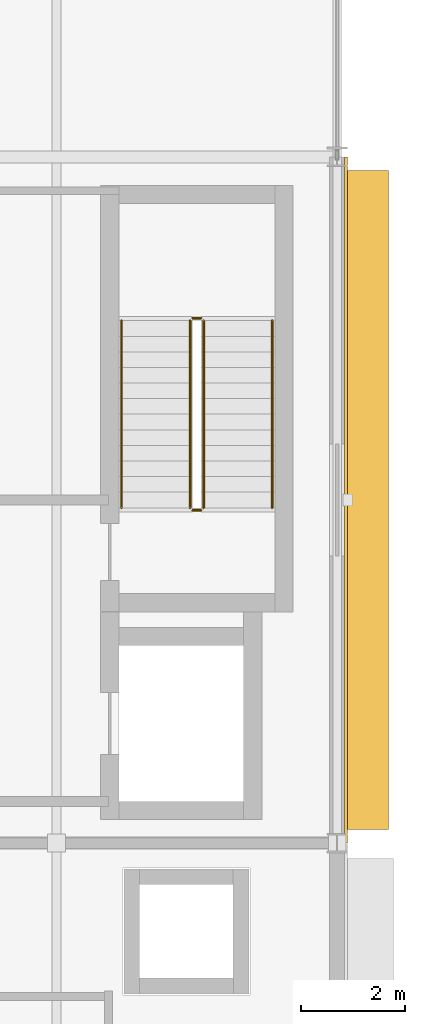
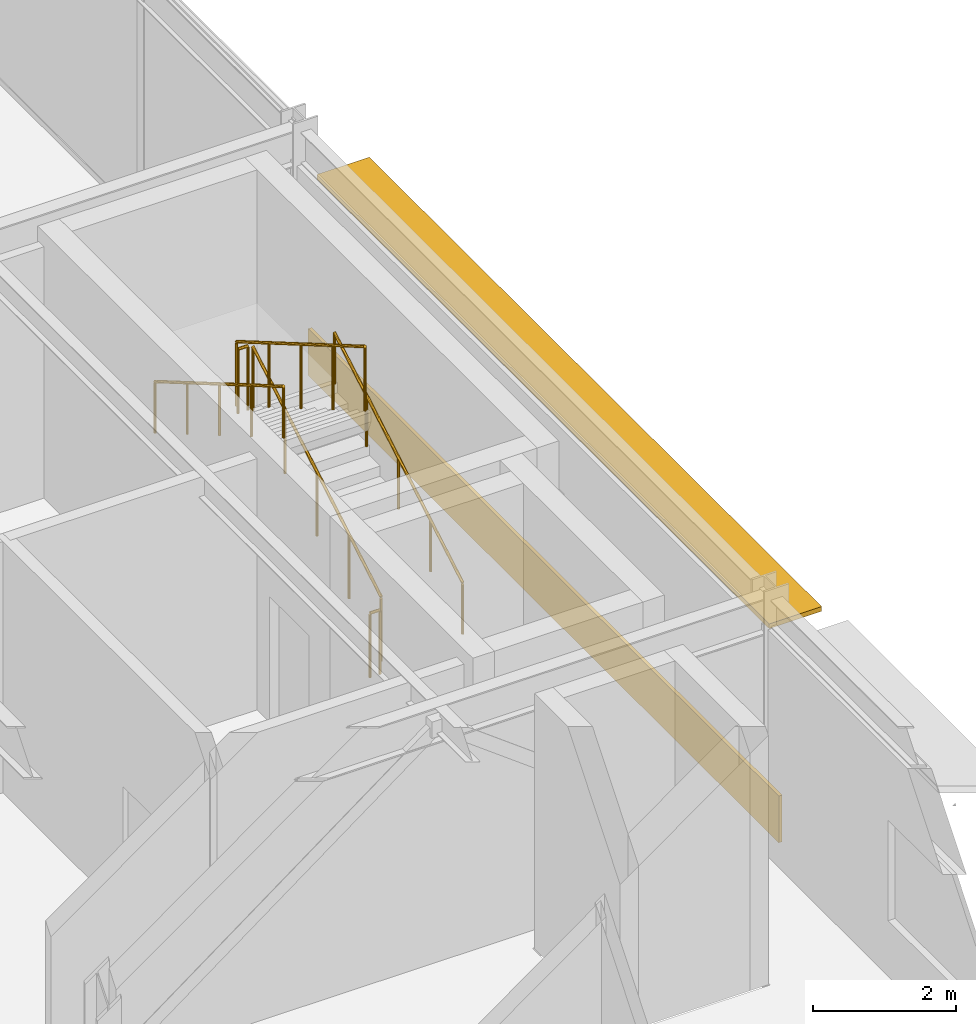
# One storey, part 132 of 133: 6 railings, 1 covering, 1 shading device.
"""IFC4 building model written with IfcOpenShell, lengths in metres."""

from ifc_helpers import new_model, si_unit, direction, frame, origin, origin_2d, place, context, subcontext, project, spatial, rectangle, circle, extrude, material, layer, layer_set, type_object, element, save


model = new_model("IFC4")

# Units and contexts
model_context = context("Model", 3, precision=1e-05, world=origin(), true_north=direction((0.0, 1.0)))
body_context = subcontext(model_context, "Body", "Model", "MODEL_VIEW")
ifc_project = project(units=[si_unit("LENGTHUNIT", "METRE"), si_unit("AREAUNIT", "SQUARE_METRE"), si_unit("VOLUMEUNIT", "CUBIC_METRE"), si_unit("PLANEANGLEUNIT", "RADIAN"), si_unit("MASSUNIT", "GRAM", prefix="KILO")], contexts=[model_context])

# Site, building, storey
site_placement = place(None, origin())
site = spatial("IfcSite", under=ifc_project, at=site_placement, CompositionType="ELEMENT")
building_placement = place(site_placement, origin())
building = spatial("IfcBuilding", under=site, at=building_placement, Name="Almandine Court Research Institute", CompositionType="ELEMENT")
storey_placement = place(building_placement, frame((0.0, 0.0, 9.800048828125)))
storey = spatial("IfcBuildingStorey", under=building, at=storey_placement, Name="L02", CompositionType="ELEMENT", Elevation=9.800048828125)

# Covering
ifc_material_1 = material(Name="Extruded Cream-Ochre Seismic Terracotta Spandrel", Category="masonry")
ifc_layer_1 = layer(ifc_material_1, 0.054931640625)
ifc_layer_set_1 = layer_set([ifc_layer_1], Name="Extruded Cream-Ochre Seismic Terracotta Spandrel")
covering_type = type_object("IfcCoveringType", Name="Cov-CLAD-TERR", PredefinedType="CLADDING", material=ifc_layer_set_1)
covering_placement = place(storey_placement, frame((174.1708984375, 51.0, 0.02001953125), z_axis=(0.0, 0.0, 1.0), x_axis=(0.0, -1.0, 0.0)))
element("IfcCovering", 1, at=covering_placement, inside=storey, type_object=covering_type, Name="L02 Facade Spandrel Cladding Band 146", PredefinedType="CLADDING", context=body_context, shape_type="SweptSolid", body=[
    extrude(rectangle(XDim=13.19189453125, YDim=0.054931640625, at=origin_2d()), origin(), (0.0, 0.0, 1.0), 0.800048828125),
])

# Railings
ifc_material_2 = material(Name="Powder-Coated Steel Stair and Atrium Balustrade", Category="steel")
railing_type_1 = type_object("IfcRailingType", Name="Rail-GUARD-INT", PredefinedType="BALUSTRADE", material=ifc_material_2)
railing_1_placement = place(storey_placement, frame((171.429931640625, 50.85009765625, 0.175048828125)))
element("IfcRailing", 2, at=railing_1_placement, inside=storey, type_object=railing_type_1, Name="L02 ST-08 stair guard 1", PredefinedType="BALUSTRADE", context=body_context, shape_type="SweptSolid", body=[
    extrude(circle(Radius=0.02392578125, at=origin_2d()), frame((0.0, 0.0, 1.09619140625), z_axis=(0.0, 0.86378527499, 0.503860098351), x_axis=(-1.0, 0.0, 0.0)), (0.0, 0.0, 1.0), 4.16748046875),
    extrude(circle(Radius=0.02099609375, at=origin_2d()), origin(), (0.0, 0.0, 1.0), 1.072021484375),
    extrude(circle(Radius=0.02099609375, at=origin_2d()), frame((0.0, 0.89990234375, 0.52490234375)), (0.0, 0.0, 1.0), 1.072021484375),
    extrude(circle(Radius=0.02099609375, at=origin_2d()), frame((0.0, 1.7998046875, 1.0498046875)), (0.0, 0.0, 1.0), 1.072021484375),
    extrude(circle(Radius=0.02099609375, at=origin_2d()), frame((0.0, 2.699951171875, 1.574951171875)), (0.0, 0.0, 1.0), 1.072021484375),
    extrude(circle(Radius=0.02099609375, at=origin_2d()), frame((0.0, 3.599853515625, 2.099853515625)), (0.0, 0.0, 1.0), 1.072021484375),
])
railing_2_placement = place(storey_placement, frame((171.3798828125, 54.5, 2.27490234375)))
element("IfcRailing", 3, at=railing_2_placement, inside=storey, type_object=railing_type_1, Name="L02 ST-08 stair guard 2", PredefinedType="BALUSTRADE", context=body_context, shape_type="SweptSolid", body=[
    extrude(circle(Radius=0.02392578125, at=origin_2d()), frame((0.0, 0.0, 1.09619140625), z_axis=(-1.0, 0.0, 0.0), x_axis=(0.0, -1.0, 0.0)), (0.0, 0.0, 1.0), 0.159912109375),
    extrude(circle(Radius=0.02099609375, at=origin_2d()), origin(), (0.0, 0.0, 1.0), 1.072021484375),
    extrude(circle(Radius=0.02099609375, at=origin_2d()), frame((-0.159912109375, 0.0, 0.0)), (0.0, 0.0, 1.0), 1.072021484375),
])
railing_3_placement = place(storey_placement, frame((171.169921875, 54.449951171875, 2.449951171875)))
element("IfcRailing", 4, at=railing_3_placement, inside=storey, type_object=railing_type_1, Name="L02 ST-08 stair guard 3", PredefinedType="BALUSTRADE", context=body_context, shape_type="SweptSolid", body=[
    extrude(circle(Radius=0.02392578125, at=origin_2d()), frame((0.0, 0.0, 1.09619140625), z_axis=(0.0, -0.863759778359, 0.503903805591), x_axis=(1.0, 0.0, 0.0)), (0.0, 0.0, 1.0), 4.167724609375),
    extrude(circle(Radius=0.02099609375, at=origin_2d()), origin(), (0.0, 0.0, 1.0), 1.072021484375),
    extrude(circle(Radius=0.02099609375, at=origin_2d()), frame((0.0, -0.89990234375, 0.52490234375)), (0.0, 0.0, 1.0), 1.072021484375),
    extrude(circle(Radius=0.02099609375, at=origin_2d()), frame((0.0, -1.7998046875, 1.050048828125)), (0.0, 0.0, 1.0), 1.072021484375),
    extrude(circle(Radius=0.02099609375, at=origin_2d()), frame((0.0, -2.699951171875, 1.5751953125)), (0.0, 0.0, 1.0), 1.072021484375),
    extrude(circle(Radius=0.02099609375, at=origin_2d()), frame((0.0, -3.599853515625, 2.10009765625)), (0.0, 0.0, 1.0), 1.072021484375),
])
railing_4_placement = place(storey_placement, frame((171.3798828125, 50.800048828125, 0.0)))
element("IfcRailing", 5, at=railing_4_placement, inside=storey, type_object=railing_type_1, Name="L02 ST-08 stair guard 4", PredefinedType="BALUSTRADE", context=body_context, shape_type="SweptSolid", body=[
    extrude(circle(Radius=0.02392578125, at=origin_2d()), frame((0.0, 0.0, 1.09619140625), z_axis=(-1.0, 0.0, 0.0), x_axis=(0.0, -1.0, 0.0)), (0.0, 0.0, 1.0), 0.159912109375),
    extrude(circle(Radius=0.02099609375, at=origin_2d()), origin(), (0.0, 0.0, 1.0), 1.072021484375),
    extrude(circle(Radius=0.02099609375, at=origin_2d()), frame((-0.159912109375, 0.0, 0.0)), (0.0, 0.0, 1.0), 1.072021484375),
])
ifc_material_3 = material(Name="Brushed Stainless Steel Wall Handrail", Category="steel")
railing_type_2 = type_object("IfcRailingType", Name="Rail-HAND-INT", PredefinedType="HANDRAIL", material=ifc_material_3)
railing_5_placement = place(storey_placement, frame((172.75, 50.85009765625, 0.175048828125)))
element("IfcRailing", 6, at=railing_5_placement, inside=storey, type_object=railing_type_2, Name="L02 ST-08 stair handrail 1", PredefinedType="HANDRAIL", context=body_context, shape_type="SweptSolid", body=[
    extrude(circle(Radius=0.02392578125, at=origin_2d()), frame((0.0, 0.0, 0.8759765625), z_axis=(0.0, 0.86378527499, 0.503860098351), x_axis=(-1.0, 0.0, 0.0)), (0.0, 0.0, 1.0), 4.16748046875),
    extrude(circle(Radius=0.02099609375, at=origin_2d()), origin(), (0.0, 0.0, 1.0), 0.851806640625),
    extrude(circle(Radius=0.02099609375, at=origin_2d()), frame((0.0, 0.89990234375, 0.52490234375)), (0.0, 0.0, 1.0), 0.851806640625),
    extrude(circle(Radius=0.02099609375, at=origin_2d()), frame((0.0, 1.7998046875, 1.0498046875)), (0.0, 0.0, 1.0), 0.851806640625),
    extrude(circle(Radius=0.02099609375, at=origin_2d()), frame((0.0, 2.699951171875, 1.574951171875)), (0.0, 0.0, 1.0), 0.851806640625),
    extrude(circle(Radius=0.02099609375, at=origin_2d()), frame((0.0, 3.599853515625, 2.099853515625)), (0.0, 0.0, 1.0), 0.851806640625),
])
railing_6_placement = place(storey_placement, frame((169.85009765625, 54.449951171875, 2.449951171875)))
element("IfcRailing", 7, at=railing_6_placement, inside=storey, type_object=railing_type_2, Name="L02 ST-08 stair handrail 2", PredefinedType="HANDRAIL", context=body_context, shape_type="SweptSolid", body=[
    extrude(circle(Radius=0.02392578125, at=origin_2d()), frame((0.0, 0.0, 0.8759765625), z_axis=(0.0, -0.863759778359, 0.503903805591), x_axis=(1.0, 0.0, 0.0)), (0.0, 0.0, 1.0), 4.167724609375),
    extrude(circle(Radius=0.02099609375, at=origin_2d()), origin(), (0.0, 0.0, 1.0), 0.851806640625),
    extrude(circle(Radius=0.02099609375, at=origin_2d()), frame((0.0, -0.89990234375, 0.52490234375)), (0.0, 0.0, 1.0), 0.851806640625),
    extrude(circle(Radius=0.02099609375, at=origin_2d()), frame((0.0, -1.7998046875, 1.050048828125)), (0.0, 0.0, 1.0), 0.851806640625),
    extrude(circle(Radius=0.02099609375, at=origin_2d()), frame((0.0, -2.699951171875, 1.5751953125)), (0.0, 0.0, 1.0), 0.851806640625),
    extrude(circle(Radius=0.02099609375, at=origin_2d()), frame((0.0, -3.599853515625, 2.10009765625)), (0.0, 0.0, 1.0), 0.851806640625),
])

# Shading device
ifc_material_4 = material(Name="Precast GFRC Chhajja Sunshade and Acoustic Louvre", Category="concrete")
ifc_layer_2 = layer(ifc_material_4, 0.080078125)
ifc_layer_set_2 = layer_set([ifc_layer_2], Name="Precast GFRC Chhajja Sunshade and Acoustic Louvre")
shading_device_type = type_object("IfcShadingDeviceType", Name="Shd-SD-42", PredefinedType="AWNING", material=ifc_layer_set_2)
shading_device_placement = place(storey_placement, frame((174.56005859375, 51.0, 3.533935546875), z_axis=(0.0, 0.0, 1.0), x_axis=(0.0, -1.0, 0.0)))
element("IfcShadingDevice", 8, at=shading_device_placement, inside=storey, type_object=shading_device_type, Name="L02 Projecting Chhajja Sunshade 98", PredefinedType="AWNING", context=body_context, shape_type="SweptSolid", body=[
    extrude(rectangle(XDim=12.681884765625, YDim=0.85009765625, at=origin_2d()), origin(), (0.0, 0.0, 1.0), 0.080078125),
])

save(model, "model.ifc")
